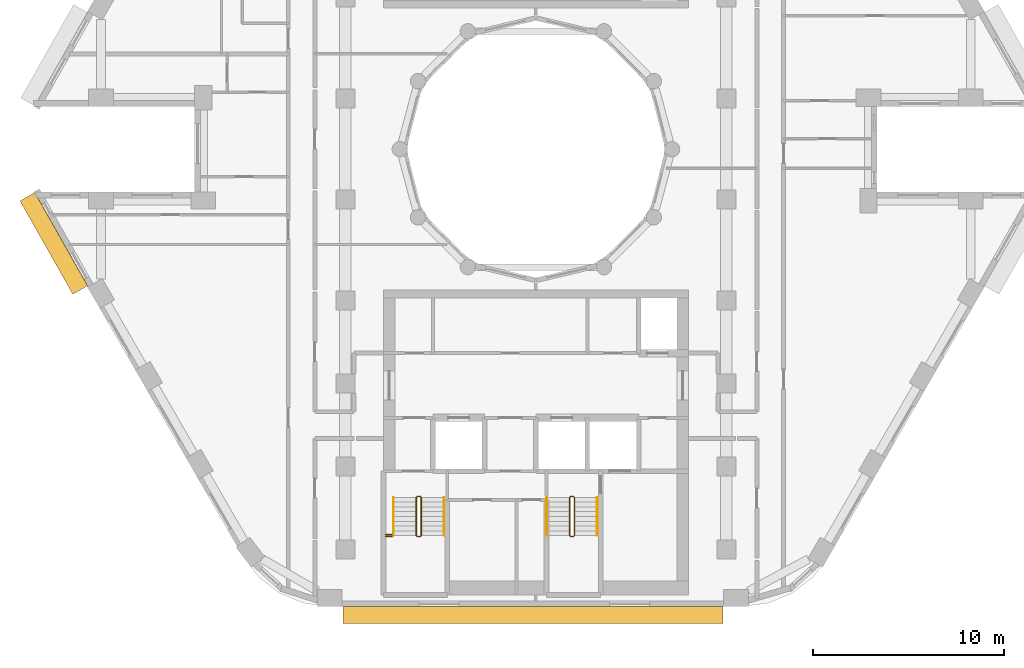
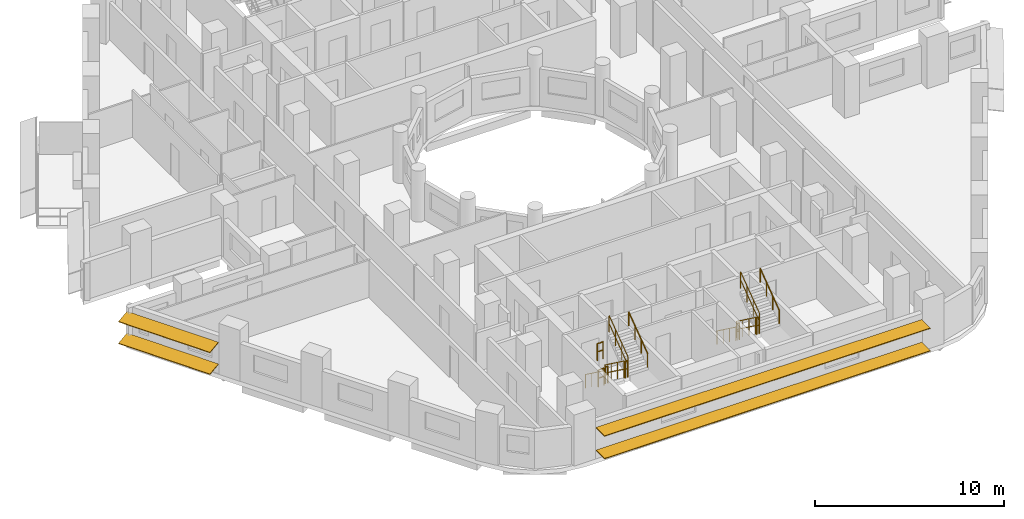
# One storey, part 11 of 13: 14 railings, 4 shading devices.
"""IFC4 building model written with IfcOpenShell, lengths in metres."""

from ifc_helpers import new_model, si_unit, direction, frame, origin, origin_2d, place, context, subcontext, project, spatial, rectangle, circle, extrude, material, material_profile, profile_set, type_object, element, save


model = new_model("IFC4")

# Units and contexts
model_context = context("Model", 3, precision=1e-05, world=origin(), true_north=direction((0.0, 1.0)))
body_context = subcontext(model_context, "Body", "Model", "MODEL_VIEW")
ifc_project = project(units=[si_unit("LENGTHUNIT", "METRE"), si_unit("AREAUNIT", "SQUARE_METRE"), si_unit("VOLUMEUNIT", "CUBIC_METRE"), si_unit("PLANEANGLEUNIT", "RADIAN"), si_unit("MASSUNIT", "GRAM", prefix="KILO")], contexts=[model_context])

# Site, building, storey
site_placement = place(None, origin())
site = spatial("IfcSite", under=ifc_project, at=site_placement, CompositionType="ELEMENT")
building_placement = place(site_placement, origin())
building = spatial("IfcBuilding", under=site, at=building_placement, Name="Nakaniwa Court", CompositionType="ELEMENT")
storey_placement = place(building_placement, frame((0.0, 0.0, 150.300048828125)))
storey = spatial("IfcBuildingStorey", under=building, at=storey_placement, Name="L39", CompositionType="ELEMENT", Elevation=150.300048828125)

# Shading devices
ifc_material_1 = material(Name="Perforated charcoal ceramic louvre blade")
ifc_material_profile = material_profile(ifc_material_1, rectangle(XDim=0.89990234375, YDim=0.050048828125, at=origin_2d()), Name="Perforated ceramic louvre blade")
ifc_profile_set = profile_set([ifc_material_profile], Name="Perforated charcoal ceramic louvre blade")
shading_device_type = type_object("IfcShadingDeviceType", Name="Perforated ceramic louvre blade", PredefinedType="JALOUSIE", material=ifc_profile_set)
for number, where, z_axis, x_axis, name in (
    (1, (53.31689453125, 77.5078125, 0.550048828125), (0.49253187421, -0.870294405869, 0.0), (0.862649339692, 0.488205247786, 0.132256390257), "L39 perforated ceramic louvre blade w20 1"),
    (2, (53.31689453125, 77.5078125, 1.95556640625), (0.49253187421, -0.870294405869, 0.0), (0.862649339692, 0.488205247786, 0.132256390257), "L39 perforated ceramic louvre blade w20 2"),
):
    element("IfcShadingDevice", number, at=place(storey_placement, frame(where, z_axis=z_axis, x_axis=x_axis)), inside=storey, type_object=shading_device_type, Name=name, PredefinedType="JALOUSIE", context=body_context, shape_type="SweptSolid", body=[
        extrude(rectangle(XDim=0.89990234375, YDim=0.050048828125, at=origin_2d()), origin(), (0.0, 0.0, 1.0), 5.62646484375),
    ])
for number, where, z_axis, x_axis, name in (
    (3, (69.871337890625, 55.550048828125, 0.550048828125), (1.0, 0.0, 0.0), (0.0, 1.0, 0.0), "L39 perforated ceramic louvre blade w26 1"),
    (4, (69.871337890625, 55.550048828125, 2.014892578125), (1.0, 0.0, 0.0), (0.0, 1.0, 0.0), "L39 perforated ceramic louvre blade w26 2"),
):
    element("IfcShadingDevice", number, at=place(storey_placement, frame(where, z_axis=z_axis, x_axis=x_axis)), inside=storey, type_object=shading_device_type, Name=name, PredefinedType="JALOUSIE", context=body_context, shape_type="SweptSolid", body=[
        extrude(rectangle(XDim=0.89990234375, YDim=0.050048828125, at=origin_2d()), origin(), (0.0, 0.0, 1.0), 19.939697265625),
    ])

# Railings
ifc_material_2 = material(Name="Black powder coated steel guard", Category="steel")
railing_type_1 = type_object("IfcRailingType", Name="Stair guard 1100", PredefinedType="GUARDRAIL", material=ifc_material_2)
railing_1_placement = place(storey_placement, frame((73.72509765625, 61.72509765625, 0.183349609375)))
element("IfcRailing", 5, at=railing_1_placement, inside=storey, type_object=railing_type_1, Name="L39 ST3 stair guard 1", PredefinedType="GUARDRAIL", context=body_context, shape_type="SweptSolid", body=[
    extrude(circle(Radius=0.02392578125, at=origin_2d()), frame((0.0, 0.0, 1.076171875), z_axis=(0.0, -0.806426902644, 0.591333789573), x_axis=(1.0, 0.0, 0.0)), (0.0, 0.0, 1.0), 2.47998046875),
    extrude(circle(Radius=0.02392578125, at=origin_2d()), frame((0.0, 0.0, 0.550048828125), z_axis=(0.0, -0.806426902644, 0.591333789573), x_axis=(1.0, 0.0, 0.0)), (0.0, 0.0, 1.0), 2.47998046875),
    extrude(circle(Radius=0.02099609375, at=origin_2d()), origin(), (0.0, 0.0, 1.0), 1.052001953125),
    extrude(circle(Radius=0.02099609375, at=origin_2d()), frame((0.0, -0.666748046875, 0.48876953125)), (0.0, 0.0, 1.0), 1.052001953125),
    extrude(circle(Radius=0.02099609375, at=origin_2d()), frame((0.0, -1.333251953125, 0.977783203125)), (0.0, 0.0, 1.0), 1.052001953125),
    extrude(circle(Radius=0.02099609375, at=origin_2d()), frame((0.0, -2.0, 1.466552734375)), (0.0, 0.0, 1.0), 1.052001953125),
])
railing_2_placement = place(storey_placement, frame((73.77490234375, 59.675048828125, 1.64990234375)))
element("IfcRailing", 6, at=railing_2_placement, inside=storey, type_object=railing_type_1, Name="L39 ST3 stair guard 2", PredefinedType="GUARDRAIL", context=body_context, shape_type="SweptSolid", body=[
    extrude(circle(Radius=0.02392578125, at=origin_2d()), frame((0.0, 0.0, 1.076171875), z_axis=(1.0, 0.0, 0.0), x_axis=(0.0, 1.0, 0.0)), (0.0, 0.0, 1.0), 0.150146484375),
    extrude(circle(Radius=0.02392578125, at=origin_2d()), frame((0.0, 0.0, 0.550048828125), z_axis=(1.0, 0.0, 0.0), x_axis=(0.0, 1.0, 0.0)), (0.0, 0.0, 1.0), 0.150146484375),
    extrude(circle(Radius=0.02099609375, at=origin_2d()), origin(), (0.0, 0.0, 1.0), 1.052001953125),
    extrude(circle(Radius=0.02099609375, at=origin_2d()), frame((0.150146484375, 0.0, 0.0)), (0.0, 0.0, 1.0), 1.052001953125),
])
railing_3_placement = place(storey_placement, frame((73.97509765625, 59.72509765625, 1.833251953125)))
element("IfcRailing", 7, at=railing_3_placement, inside=storey, type_object=railing_type_1, Name="L39 ST3 stair guard 3", PredefinedType="GUARDRAIL", context=body_context, shape_type="SweptSolid", body=[
    extrude(circle(Radius=0.02392578125, at=origin_2d()), frame((0.0, 0.0, 1.076171875), z_axis=(0.0, 0.806379959628, 0.591397802423), x_axis=(-1.0, 0.0, 0.0)), (0.0, 0.0, 1.0), 2.480224609375),
    extrude(circle(Radius=0.02392578125, at=origin_2d()), frame((0.0, 0.0, 0.550048828125), z_axis=(0.0, 0.806379959628, 0.591397802423), x_axis=(-1.0, 0.0, 0.0)), (0.0, 0.0, 1.0), 2.480224609375),
    extrude(circle(Radius=0.02099609375, at=origin_2d()), origin(), (0.0, 0.0, 1.0), 1.052001953125),
    extrude(circle(Radius=0.02099609375, at=origin_2d()), frame((0.0, 0.666748046875, 0.489013671875)), (0.0, 0.0, 1.0), 1.052001953125),
    extrude(circle(Radius=0.02099609375, at=origin_2d()), frame((0.0, 1.333251953125, 0.977783203125)), (0.0, 0.0, 1.0), 1.052001953125),
    extrude(circle(Radius=0.02099609375, at=origin_2d()), frame((0.0, 2.0, 1.466796875)), (0.0, 0.0, 1.0), 1.052001953125),
])
railing_4_placement = place(storey_placement, frame((73.77490234375, 61.77490234375, 0.0)))
element("IfcRailing", 8, at=railing_4_placement, inside=storey, type_object=railing_type_1, Name="L39 ST3 stair guard 4", PredefinedType="GUARDRAIL", context=body_context, shape_type="SweptSolid", body=[
    extrude(circle(Radius=0.02392578125, at=origin_2d()), frame((0.0, 0.0, 1.076171875), z_axis=(1.0, 0.0, 0.0), x_axis=(0.0, 1.0, 0.0)), (0.0, 0.0, 1.0), 0.150146484375),
    extrude(circle(Radius=0.02392578125, at=origin_2d()), frame((0.0, 0.0, 0.550048828125), z_axis=(1.0, 0.0, 0.0), x_axis=(0.0, 1.0, 0.0)), (0.0, 0.0, 1.0), 0.150146484375),
    extrude(circle(Radius=0.02099609375, at=origin_2d()), origin(), (0.0, 0.0, 1.0), 1.052001953125),
    extrude(circle(Radius=0.02099609375, at=origin_2d()), frame((0.150146484375, 0.0, 0.0)), (0.0, 0.0, 1.0), 1.052001953125),
])
for number, where, name in (
    (9, (72.125, 59.675048828125, 1.64990234375), "L39 ST3 landing side guard 1W"),
    (10, (72.125, 59.77490234375, 3.300048828125), "L39 ST3 floor edge guard 1W"),
):
    element("IfcRailing", number, at=place(storey_placement, frame(where)), inside=storey, type_object=railing_type_1, Name=name, PredefinedType="GUARDRAIL", context=body_context, shape_type="SweptSolid", body=[
        extrude(circle(Radius=0.02392578125, at=origin_2d()), frame((0.0, 0.0, 1.076171875), z_axis=(1.0, 0.0, 0.0), x_axis=(0.0, 1.0, 0.0)), (0.0, 0.0, 1.0), 0.35009765625),
        extrude(circle(Radius=0.02392578125, at=origin_2d()), frame((0.0, 0.0, 0.550048828125), z_axis=(1.0, 0.0, 0.0), x_axis=(0.0, 1.0, 0.0)), (0.0, 0.0, 1.0), 0.35009765625),
        extrude(circle(Radius=0.02099609375, at=origin_2d()), origin(), (0.0, 0.0, 1.0), 1.052001953125),
        extrude(circle(Radius=0.02099609375, at=origin_2d()), frame((0.35009765625, 0.0, 0.0)), (0.0, 0.0, 1.0), 1.052001953125),
    ])
railing_5_placement = place(storey_placement, frame((81.77490234375, 61.72509765625, 0.183349609375)))
element("IfcRailing", 11, at=railing_5_placement, inside=storey, type_object=railing_type_1, Name="L39 ST4 stair guard 1", PredefinedType="GUARDRAIL", context=body_context, shape_type="SweptSolid", body=[
    extrude(circle(Radius=0.02392578125, at=origin_2d()), frame((0.0, 0.0, 1.076171875), z_axis=(0.0, -0.806426902644, 0.591333789573), x_axis=(1.0, 0.0, 0.0)), (0.0, 0.0, 1.0), 2.47998046875),
    extrude(circle(Radius=0.02392578125, at=origin_2d()), frame((0.0, 0.0, 0.550048828125), z_axis=(0.0, -0.806426902644, 0.591333789573), x_axis=(1.0, 0.0, 0.0)), (0.0, 0.0, 1.0), 2.47998046875),
    extrude(circle(Radius=0.02099609375, at=origin_2d()), origin(), (0.0, 0.0, 1.0), 1.052001953125),
    extrude(circle(Radius=0.02099609375, at=origin_2d()), frame((0.0, -0.666748046875, 0.48876953125)), (0.0, 0.0, 1.0), 1.052001953125),
    extrude(circle(Radius=0.02099609375, at=origin_2d()), frame((0.0, -1.333251953125, 0.977783203125)), (0.0, 0.0, 1.0), 1.052001953125),
    extrude(circle(Radius=0.02099609375, at=origin_2d()), frame((0.0, -2.0, 1.466552734375)), (0.0, 0.0, 1.0), 1.052001953125),
])
railing_6_placement = place(storey_placement, frame((81.824951171875, 59.675048828125, 1.64990234375)))
element("IfcRailing", 12, at=railing_6_placement, inside=storey, type_object=railing_type_1, Name="L39 ST4 stair guard 2", PredefinedType="GUARDRAIL", context=body_context, shape_type="SweptSolid", body=[
    extrude(circle(Radius=0.02392578125, at=origin_2d()), frame((0.0, 0.0, 1.076171875), z_axis=(1.0, 0.0, 0.0), x_axis=(0.0, 1.0, 0.0)), (0.0, 0.0, 1.0), 0.150146484375),
    extrude(circle(Radius=0.02392578125, at=origin_2d()), frame((0.0, 0.0, 0.550048828125), z_axis=(1.0, 0.0, 0.0), x_axis=(0.0, 1.0, 0.0)), (0.0, 0.0, 1.0), 0.150146484375),
    extrude(circle(Radius=0.02099609375, at=origin_2d()), origin(), (0.0, 0.0, 1.0), 1.052001953125),
    extrude(circle(Radius=0.02099609375, at=origin_2d()), frame((0.150146484375, 0.0, 0.0)), (0.0, 0.0, 1.0), 1.052001953125),
])
railing_7_placement = place(storey_placement, frame((82.02490234375, 59.72509765625, 1.833251953125)))
element("IfcRailing", 13, at=railing_7_placement, inside=storey, type_object=railing_type_1, Name="L39 ST4 stair guard 3", PredefinedType="GUARDRAIL", context=body_context, shape_type="SweptSolid", body=[
    extrude(circle(Radius=0.02392578125, at=origin_2d()), frame((0.0, 0.0, 1.076171875), z_axis=(0.0, 0.806379959628, 0.591397802423), x_axis=(-1.0, 0.0, 0.0)), (0.0, 0.0, 1.0), 2.480224609375),
    extrude(circle(Radius=0.02392578125, at=origin_2d()), frame((0.0, 0.0, 0.550048828125), z_axis=(0.0, 0.806379959628, 0.591397802423), x_axis=(-1.0, 0.0, 0.0)), (0.0, 0.0, 1.0), 2.480224609375),
    extrude(circle(Radius=0.02099609375, at=origin_2d()), origin(), (0.0, 0.0, 1.0), 1.052001953125),
    extrude(circle(Radius=0.02099609375, at=origin_2d()), frame((0.0, 0.666748046875, 0.489013671875)), (0.0, 0.0, 1.0), 1.052001953125),
    extrude(circle(Radius=0.02099609375, at=origin_2d()), frame((0.0, 1.333251953125, 0.977783203125)), (0.0, 0.0, 1.0), 1.052001953125),
    extrude(circle(Radius=0.02099609375, at=origin_2d()), frame((0.0, 2.0, 1.466796875)), (0.0, 0.0, 1.0), 1.052001953125),
])
railing_8_placement = place(storey_placement, frame((81.824951171875, 61.77490234375, 0.0)))
element("IfcRailing", 14, at=railing_8_placement, inside=storey, type_object=railing_type_1, Name="L39 ST4 stair guard 4", PredefinedType="GUARDRAIL", context=body_context, shape_type="SweptSolid", body=[
    extrude(circle(Radius=0.02392578125, at=origin_2d()), frame((0.0, 0.0, 1.076171875), z_axis=(1.0, 0.0, 0.0), x_axis=(0.0, 1.0, 0.0)), (0.0, 0.0, 1.0), 0.150146484375),
    extrude(circle(Radius=0.02392578125, at=origin_2d()), frame((0.0, 0.0, 0.550048828125), z_axis=(1.0, 0.0, 0.0), x_axis=(0.0, 1.0, 0.0)), (0.0, 0.0, 1.0), 0.150146484375),
    extrude(circle(Radius=0.02099609375, at=origin_2d()), origin(), (0.0, 0.0, 1.0), 1.052001953125),
    extrude(circle(Radius=0.02099609375, at=origin_2d()), frame((0.150146484375, 0.0, 0.0)), (0.0, 0.0, 1.0), 1.052001953125),
])
ifc_material_3 = material(Name="Black powder coated steel handrail", Category="steel")
railing_type_2 = type_object("IfcRailingType", Name="Stair handrail 900", PredefinedType="HANDRAIL", material=ifc_material_3)
railing_9_placement = place(storey_placement, frame((72.52490234375, 61.72509765625, 0.183349609375)))
element("IfcRailing", 15, at=railing_9_placement, inside=storey, type_object=railing_type_2, Name="L39 ST3 stair handrail 1", PredefinedType="HANDRAIL", context=body_context, shape_type="SweptSolid", body=[
    extrude(circle(Radius=0.02392578125, at=origin_2d()), frame((0.0, 0.0, 0.8759765625), z_axis=(0.0, -0.806426902644, 0.591333789573), x_axis=(1.0, 0.0, 0.0)), (0.0, 0.0, 1.0), 2.47998046875),
    extrude(circle(Radius=0.02099609375, at=origin_2d()), origin(), (0.0, 0.0, 1.0), 0.851806640625),
    extrude(circle(Radius=0.02099609375, at=origin_2d()), frame((0.0, -0.666748046875, 0.48876953125)), (0.0, 0.0, 1.0), 0.851806640625),
    extrude(circle(Radius=0.02099609375, at=origin_2d()), frame((0.0, -1.333251953125, 0.977783203125)), (0.0, 0.0, 1.0), 0.851806640625),
    extrude(circle(Radius=0.02099609375, at=origin_2d()), frame((0.0, -2.0, 1.466552734375)), (0.0, 0.0, 1.0), 0.851806640625),
])
railing_10_placement = place(storey_placement, frame((75.175048828125, 59.72509765625, 1.833251953125)))
element("IfcRailing", 16, at=railing_10_placement, inside=storey, type_object=railing_type_2, Name="L39 ST3 stair handrail 2", PredefinedType="HANDRAIL", context=body_context, shape_type="SweptSolid", body=[
    extrude(circle(Radius=0.02392578125, at=origin_2d()), frame((0.0, 0.0, 0.8759765625), z_axis=(0.0, 0.806379959628, 0.591397802423), x_axis=(-1.0, 0.0, 0.0)), (0.0, 0.0, 1.0), 2.480224609375),
    extrude(circle(Radius=0.02099609375, at=origin_2d()), origin(), (0.0, 0.0, 1.0), 0.851806640625),
    extrude(circle(Radius=0.02099609375, at=origin_2d()), frame((0.0, 0.666748046875, 0.489013671875)), (0.0, 0.0, 1.0), 0.851806640625),
    extrude(circle(Radius=0.02099609375, at=origin_2d()), frame((0.0, 1.333251953125, 0.977783203125)), (0.0, 0.0, 1.0), 0.851806640625),
    extrude(circle(Radius=0.02099609375, at=origin_2d()), frame((0.0, 2.0, 1.466796875)), (0.0, 0.0, 1.0), 0.851806640625),
])
railing_11_placement = place(storey_placement, frame((80.574951171875, 61.72509765625, 0.183349609375)))
element("IfcRailing", 17, at=railing_11_placement, inside=storey, type_object=railing_type_2, Name="L39 ST4 stair handrail 1", PredefinedType="HANDRAIL", context=body_context, shape_type="SweptSolid", body=[
    extrude(circle(Radius=0.02392578125, at=origin_2d()), frame((0.0, 0.0, 0.8759765625), z_axis=(0.0, -0.806426902644, 0.591333789573), x_axis=(1.0, 0.0, 0.0)), (0.0, 0.0, 1.0), 2.47998046875),
    extrude(circle(Radius=0.02099609375, at=origin_2d()), origin(), (0.0, 0.0, 1.0), 0.851806640625),
    extrude(circle(Radius=0.02099609375, at=origin_2d()), frame((0.0, -0.666748046875, 0.48876953125)), (0.0, 0.0, 1.0), 0.851806640625),
    extrude(circle(Radius=0.02099609375, at=origin_2d()), frame((0.0, -1.333251953125, 0.977783203125)), (0.0, 0.0, 1.0), 0.851806640625),
    extrude(circle(Radius=0.02099609375, at=origin_2d()), frame((0.0, -2.0, 1.466552734375)), (0.0, 0.0, 1.0), 0.851806640625),
])
railing_12_placement = place(storey_placement, frame((83.22509765625, 59.72509765625, 1.833251953125)))
element("IfcRailing", 18, at=railing_12_placement, inside=storey, type_object=railing_type_2, Name="L39 ST4 stair handrail 2", PredefinedType="HANDRAIL", context=body_context, shape_type="SweptSolid", body=[
    extrude(circle(Radius=0.02392578125, at=origin_2d()), frame((0.0, 0.0, 0.8759765625), z_axis=(0.0, 0.806379959628, 0.591397802423), x_axis=(-1.0, 0.0, 0.0)), (0.0, 0.0, 1.0), 2.480224609375),
    extrude(circle(Radius=0.02099609375, at=origin_2d()), origin(), (0.0, 0.0, 1.0), 0.851806640625),
    extrude(circle(Radius=0.02099609375, at=origin_2d()), frame((0.0, 0.666748046875, 0.489013671875)), (0.0, 0.0, 1.0), 0.851806640625),
    extrude(circle(Radius=0.02099609375, at=origin_2d()), frame((0.0, 1.333251953125, 0.977783203125)), (0.0, 0.0, 1.0), 0.851806640625),
    extrude(circle(Radius=0.02099609375, at=origin_2d()), frame((0.0, 2.0, 1.466796875)), (0.0, 0.0, 1.0), 0.851806640625),
])

save(model, "model.ifc")
